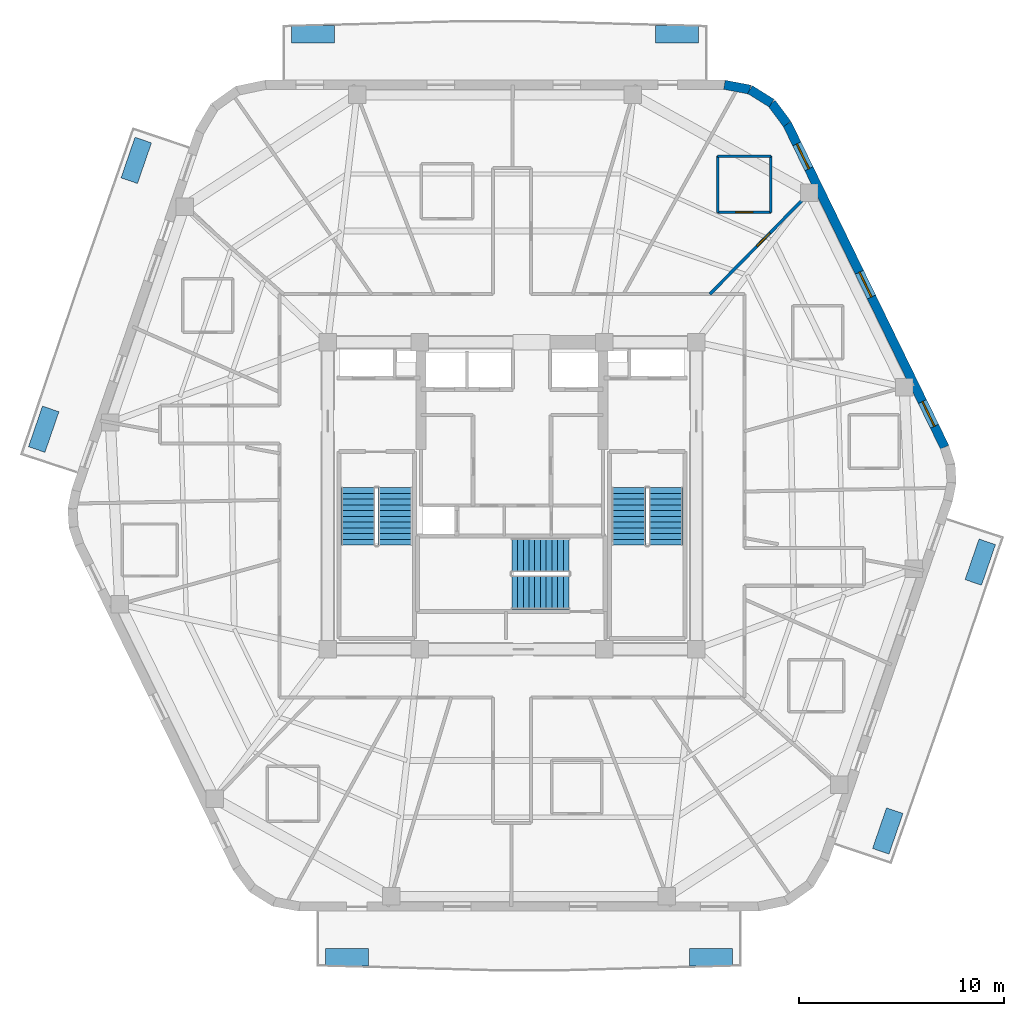
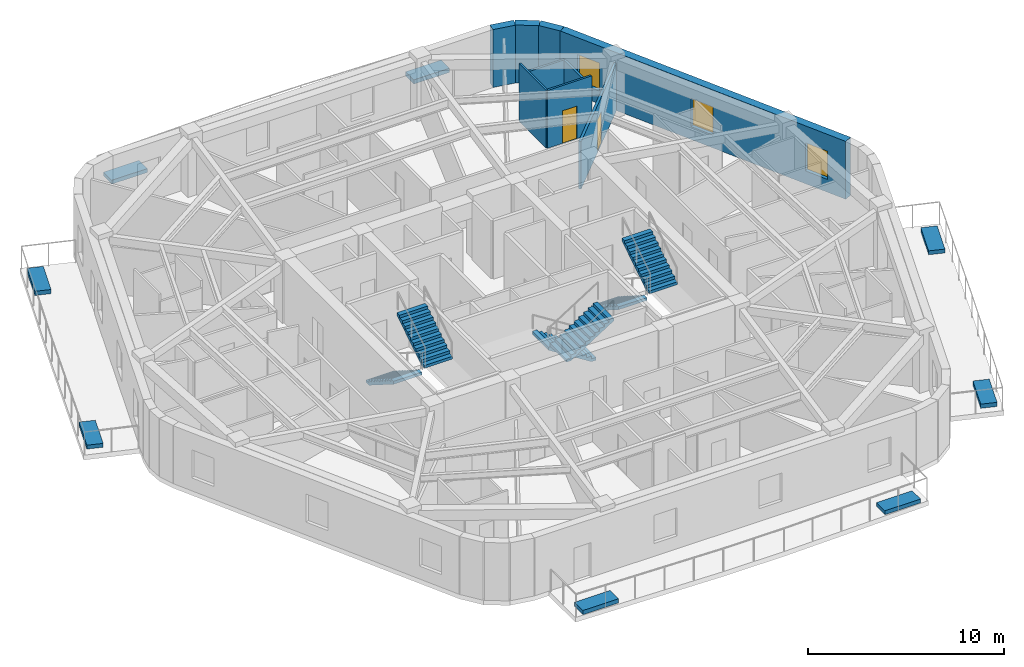
# One storey, part 7 of 9: 9 walls, 8 discrete accessories, 6 stair flights, 3 windows, 2 doors, 5 openings, 3 elements without a shape of their own.
"""IFC4 building model written with IfcOpenShell, lengths in metres."""

from ifc_helpers import new_model, si_unit, direction, frame, frame_2d, origin, origin_2d, place, context, subcontext, project, spatial, polyline, rectangle, outline, extrude, material, layer, layer_set, type_object, element, fill, aggregate, save


model = new_model("IFC4")

# Units and contexts
model_context = context("Model", 3, precision=1e-05, world=origin(), true_north=direction((0.0, 1.0)))
body_context = subcontext(model_context, "Body", "Model", "MODEL_VIEW")
ifc_project = project(units=[si_unit("LENGTHUNIT", "METRE"), si_unit("AREAUNIT", "SQUARE_METRE"), si_unit("VOLUMEUNIT", "CUBIC_METRE"), si_unit("PLANEANGLEUNIT", "RADIAN"), si_unit("MASSUNIT", "GRAM", prefix="KILO")], contexts=[model_context])

# Site, building, storey
site_placement = place(None, origin())
site = spatial("IfcSite", under=ifc_project, at=site_placement, CompositionType="ELEMENT")
building_placement = place(site_placement, origin())
building = spatial("IfcBuilding", under=site, at=building_placement, Name="Kilnhurst Terrace Hotel", CompositionType="ELEMENT")
storey_placement = place(building_placement, frame((0.0, 0.0, 261.300048828125)))
storey = spatial("IfcBuildingStorey", under=building, at=storey_placement, Name="L65", CompositionType="ELEMENT", Elevation=261.300048828125)

# Walls
ifc_material_1 = material(Name="Precast concrete C40/50", Category="concrete")
ifc_layer_1 = layer(ifc_material_1, 0.449951171875, Name="Precast concrete C40/50")
ifc_layer_set_1 = layer_set([ifc_layer_1], Name="Precast concrete C40/50")
wall_type_1 = type_object("IfcWallType", Name="WL-BRK-450", PredefinedType="SOLIDWALL", material=ifc_layer_set_1)
wall_1_placement = place(storey_placement, frame((13.44287109375, 18.159912109375, 0.0), z_axis=(0.0, 0.0, 1.0), x_axis=(-0.597042425808, 0.802209661987, 0.0)))
element("IfcWall", 1, at=wall_1_placement, inside=storey, type_object=wall_type_1, Name="L65 Rounded Corner Brick Wall C4.1", PredefinedType="SOLIDWALL", context=body_context, shape_type="SweptSolid", body=[
    extrude(rectangle(XDim=1.269775390625, YDim=0.449951171875, at=frame_2d((0.634765625, 0.0))), origin(), (0.0, 0.0, 1.0), 3.599853515625),
])
wall_2_placement = place(storey_placement, frame((12.684814453125, 19.178466796875, 0.0), z_axis=(0.0, 0.0, 1.0), x_axis=(-0.848031272749, 0.529946186362, 0.0)))
element("IfcWall", 2, at=wall_2_placement, inside=storey, type_object=wall_type_1, Name="L65 Rounded Corner Brick Wall C4.2", PredefinedType="SOLIDWALL", context=body_context, shape_type="SweptSolid", body=[
    extrude(rectangle(XDim=1.248046875, YDim=0.449951171875, at=frame_2d((0.6240234375, 0.0))), origin(), (0.0, 0.0, 1.0), 3.599853515625),
])
wall_3_placement = place(storey_placement, frame((11.62646484375, 19.83984375, 0.0), z_axis=(0.0, 0.0, 1.0), x_axis=(-0.982701956681, 0.185194126083, 0.0)))
element("IfcWall", 3, at=wall_3_placement, inside=storey, type_object=wall_type_1, Name="L65 Rounded Corner Brick Wall C4.3", PredefinedType="SOLIDWALL", context=body_context, shape_type="SweptSolid", body=[
    extrude(rectangle(XDim=1.26953125, YDim=0.449951171875, at=frame_2d((0.634765625, 0.0))), origin(), (0.0, 0.0, 1.0), 3.599853515625),
])

# Wall, openings, windows
wall_4_placement = place(storey_placement, frame((21.138427734375, 2.370849609375, 0.0), z_axis=(0.0, 0.0, 1.0), x_axis=(-0.438128124058, 0.89891253574, 0.0)))
wall_4 = element("IfcWall", 4, at=wall_4_placement, inside=storey, type_object=wall_type_1, Name="L65 Exterior Brick Facade Wall F3", PredefinedType="SOLIDWALL", context=body_context, shape_type="SweptSolid", body=[
    extrude(rectangle(XDim=17.564697265625, YDim=0.449951171875, at=frame_2d((8.7822265625, 0.0))), origin(), (0.0, 0.0, 1.0), 3.599853515625),
])
opening_1_placement = place(wall_4_placement, frame((1.133056640625, 0.0, 0.800048828125)))
opening_1 = element("IfcOpeningElement", 5, at=opening_1_placement, cuts=wall_4, Name="Opening W-06", PredefinedType="OPENING", context=body_context, shape_type="SweptSolid", body=[
    extrude(rectangle(XDim=1.35009765625, YDim=1.75, at=frame_2d((0.675048828125, 0.875))), frame((0.0, 0.23486328125, 0.0), z_axis=(0.0, -1.0, 0.0), x_axis=(1.0, 0.0, 0.0)), (0.0, 0.0, 1.0), 0.469970703125),
])
opening_2_placement = place(wall_4_placement, frame((8.157958984375, 0.0, 0.800048828125)))
opening_2 = element("IfcOpeningElement", 6, at=opening_2_placement, cuts=wall_4, Name="Opening W-06", PredefinedType="OPENING", context=body_context, shape_type="SweptSolid", body=[
    extrude(rectangle(XDim=1.35009765625, YDim=1.75, at=frame_2d((0.675048828125, 0.875))), frame((0.0, 0.23486328125, 0.0), z_axis=(0.0, -1.0, 0.0), x_axis=(1.0, 0.0, 0.0)), (0.0, 0.0, 1.0), 0.469970703125),
])
opening_3_placement = place(wall_4_placement, frame((15.132080078125, 0.0, 0.800048828125)))
opening_3 = element("IfcOpeningElement", 7, at=opening_3_placement, cuts=wall_4, Name="Opening W-06", PredefinedType="OPENING", context=body_context, shape_type="SweptSolid", body=[
    extrude(rectangle(XDim=1.35009765625, YDim=1.75, at=frame_2d((0.675048828125, 0.875))), frame((0.0, 0.23486328125, 0.0), z_axis=(0.0, -1.0, 0.0), x_axis=(1.0, 0.0, 0.0)), (0.0, 0.0, 1.0), 0.469970703125),
])
ifc_material_2 = material(Name="Thermally Broken Bronze Aluminium Alloy 6063-T6 and Low-E Glass", Category="aluminium")
window_type = type_object("IfcWindowType", Name="WIN-1350X1750", PartitioningType="SINGLE_PANEL", PredefinedType="WINDOW", material=ifc_material_2)
window_1_placement = place(opening_1_placement, origin())
window_1 = element("IfcWindow", 8, at=window_1_placement, inside=storey, type_object=window_type, Name="L65 Deep-Set Masonry Window F3.1", OverallHeight=1.75, OverallWidth=1.35009765625, PartitioningType="SINGLE_PANEL", PredefinedType="WINDOW", context=body_context, shape_type="SweptSolid", body=[
    extrude(rectangle(XDim=1.35009765625, YDim=1.75, at=frame_2d((0.675048828125, 0.875))), frame((0.0, 0.030029296875, 0.0), z_axis=(0.0, -1.0, 0.0), x_axis=(1.0, 0.0, 0.0)), (0.0, 0.0, 1.0), 0.06005859375),
])
fill(opening_1, window_1)
window_2_placement = place(opening_2_placement, origin())
window_2 = element("IfcWindow", 9, at=window_2_placement, inside=storey, type_object=window_type, Name="L65 Deep-Set Masonry Window F3.2", OverallHeight=1.75, OverallWidth=1.35009765625, PartitioningType="SINGLE_PANEL", PredefinedType="WINDOW", context=body_context, shape_type="SweptSolid", body=[
    extrude(rectangle(XDim=1.35009765625, YDim=1.75, at=frame_2d((0.675048828125, 0.875))), frame((0.0, 0.030029296875, 0.0), z_axis=(0.0, -1.0, 0.0), x_axis=(1.0, 0.0, 0.0)), (0.0, 0.0, 1.0), 0.06005859375),
])
fill(opening_2, window_2)
window_3_placement = place(opening_3_placement, origin())
window_3 = element("IfcWindow", 10, at=window_3_placement, inside=storey, type_object=window_type, Name="L65 Deep-Set Masonry Window F3.3", OverallHeight=1.75, OverallWidth=1.35009765625, PartitioningType="SINGLE_PANEL", PredefinedType="WINDOW", context=body_context, shape_type="SweptSolid", body=[
    extrude(rectangle(XDim=1.35009765625, YDim=1.75, at=frame_2d((0.675048828125, 0.875))), frame((0.0, 0.030029296875, 0.0), z_axis=(0.0, -1.0, 0.0), x_axis=(1.0, 0.0, 0.0)), (0.0, 0.0, 1.0), 0.06005859375),
])
fill(opening_3, window_3)

# Wall, opening, door
ifc_material_3 = material(Name="STC-58 Acoustic Twin-Frame Guestroom Demising Partition")
ifc_layer_2 = layer(ifc_material_3, 0.14990234375, Name="STC-58 Acoustic Twin-Frame Guestroom Demising Partition")
ifc_layer_set_2 = layer_set([ifc_layer_2], Name="STC-58 Acoustic Twin-Frame Guestroom Demising Partition")
wall_type_2 = type_object("IfcWallType", Name="WL-DEM-150", PredefinedType="PARTITIONING", material=ifc_layer_set_2)
wall_5_placement = place(storey_placement, frame((9.67236328125, 9.85009765625, 0.0), z_axis=(0.0, 0.0, 1.0), x_axis=(0.700629771301, 0.713524998558, 0.0)))
wall_5 = element("IfcWall", 11, at=wall_5_placement, inside=storey, type_object=wall_type_2, Name="L65 Interior Wall WL-L65-DEM-COL02-03-1", PredefinedType="PARTITIONING", context=body_context, shape_type="SweptSolid", body=[
    extrude(rectangle(XDim=7.45947265625, YDim=0.14990234375, at=frame_2d((3.729736328125, 0.0))), origin(), (0.0, 0.0, 1.0), 2.93994140625),
])
opening_4_placement = place(wall_5_placement, frame((3.280029296875, 0.0, 0.0)))
opening_4 = element("IfcOpeningElement", 12, at=opening_4_placement, cuts=wall_5, Name="Opening D-09B", PredefinedType="OPENING", context=body_context, shape_type="SweptSolid", body=[
    extrude(rectangle(XDim=0.89990234375, YDim=2.030029296875, at=frame_2d((0.449951171875, 1.01513671875))), frame((0.0, 0.0849609375, 0.0), z_axis=(0.0, -1.0, 0.0), x_axis=(1.0, 0.0, 0.0)), (0.0, 0.0, 1.0), 0.169921875),
])
ifc_material_4 = material(Name="Moisture-Resistant Solid-Core Restroom Door")
door_type_1 = type_object("IfcDoorType", Name="DR-INT-900", OperationType="NOTDEFINED", PredefinedType="DOOR", material=ifc_material_4)
door_1_placement = place(opening_4_placement, origin())
door_1 = element("IfcDoor", 13, at=door_1_placement, inside=storey, type_object=door_type_1, Name="L65 Sky Residence Bedroom Door 2", OperationType="SINGLE_SWING_RIGHT", OverallHeight=2.030029296875, OverallWidth=0.89990234375, PredefinedType="DOOR", context=body_context, shape_type="SweptSolid", body=[
    extrude(rectangle(XDim=0.89990234375, YDim=2.030029296875, at=frame_2d((0.449951171875, 1.01513671875))), frame((0.0, 0.02490234375, 0.0), z_axis=(0.0, -1.0, 0.0), x_axis=(1.0, 0.0, 0.0)), (0.0, 0.0, 1.0), 0.050048828125),
])
fill(opening_4, door_1)

ifc_material_5 = material(Name="120 mm Moisture-Resistant Tile-Backed Bathroom Partition")
ifc_layer_3 = layer(ifc_material_5, 0.1201171875, Name="120 mm Moisture-Resistant Tile-Backed Bathroom Partition")
ifc_layer_set_3 = layer_set([ifc_layer_3], Name="120 mm Moisture-Resistant Tile-Backed Bathroom Partition")
wall_type_3 = type_object("IfcWallType", Name="WL-PART-120", PredefinedType="PARTITIONING", material=ifc_layer_set_3)
wall_6_placement = place(storey_placement, frame((10.049072265625, 13.840087890625, 0.0), z_axis=(0.0, 0.0, 1.0), x_axis=(1.0, 0.0, 0.0)))
wall_6 = element("IfcWall", 14, at=wall_6_placement, inside=storey, type_object=wall_type_3, Name="L65 Interior Wall WL-L65-RBTH-02-1", PredefinedType="PARTITIONING", context=body_context, shape_type="SweptSolid", body=[
    extrude(rectangle(XDim=2.599853515625, YDim=0.1201171875, at=frame_2d((1.2998046875, 0.0))), origin(), (0.0, 0.0, 1.0), 3.599853515625),
])
opening_5_placement = place(wall_6_placement, frame((0.875, 0.0, 0.0)))
opening_5 = element("IfcOpeningElement", 15, at=opening_5_placement, cuts=wall_6, Name="Opening D-08A", PredefinedType="OPENING", context=body_context, shape_type="SweptSolid", body=[
    extrude(rectangle(XDim=0.85009765625, YDim=2.030029296875, at=frame_2d((0.425048828125, 1.01513671875))), frame((0.0, 0.070068359375, 0.0), z_axis=(0.0, -1.0, 0.0), x_axis=(1.0, 0.0, 0.0)), (0.0, 0.0, 1.0), 0.14013671875),
])
ifc_material_6 = material(Name="Moisture-Resistant Lacquered En-suite Bathroom Door")
door_type_2 = type_object("IfcDoorType", Name="DR-INT-850", OperationType="NOTDEFINED", PredefinedType="DOOR", material=ifc_material_6)
door_2_placement = place(opening_5_placement, origin())
door_2 = element("IfcDoor", 16, at=door_2_placement, inside=storey, type_object=door_type_2, Name="L65 Sky Residence Bathroom Door 2", OperationType="SINGLE_SWING_LEFT", OverallHeight=2.030029296875, OverallWidth=0.85009765625, PredefinedType="DOOR", context=body_context, shape_type="SweptSolid", body=[
    extrude(rectangle(XDim=0.85009765625, YDim=2.030029296875, at=frame_2d((0.425048828125, 1.01513671875))), frame((0.0, 0.02490234375, 0.0), z_axis=(0.0, -1.0, 0.0), x_axis=(1.0, 0.0, 0.0)), (0.0, 0.0, 1.0), 0.050048828125),
])
fill(opening_5, door_2)

# Walls
wall_7_placement = place(storey_placement, frame((12.64892578125, 13.840087890625, 0.0), z_axis=(0.0, 0.0, 1.0), x_axis=(0.0, 1.0, 0.0)))
element("IfcWall", 17, at=wall_7_placement, inside=storey, type_object=wall_type_3, Name="L65 Interior Wall WL-L65-RBTH-02-2", PredefinedType="PARTITIONING", context=body_context, shape_type="SweptSolid", body=[
    extrude(rectangle(XDim=2.75, YDim=0.1201171875, at=frame_2d((1.375, 0.0))), origin(), (0.0, 0.0, 1.0), 2.93994140625),
])
wall_8_placement = place(storey_placement, frame((12.64892578125, 16.590087890625, 0.0), z_axis=(0.0, 0.0, 1.0), x_axis=(-1.0, 0.0, 0.0)))
element("IfcWall", 18, at=wall_8_placement, inside=storey, type_object=wall_type_3, Name="L65 Interior Wall WL-L65-RBTH-02-3", PredefinedType="PARTITIONING", context=body_context, shape_type="SweptSolid", body=[
    extrude(rectangle(XDim=2.599853515625, YDim=0.1201171875, at=frame_2d((1.2998046875, 0.0))), origin(), (0.0, 0.0, 1.0), 2.93994140625),
])
wall_9_placement = place(storey_placement, frame((10.049072265625, 16.590087890625, 0.0), z_axis=(0.0, 0.0, 1.0), x_axis=(0.0, -1.0, 0.0)))
element("IfcWall", 19, at=wall_9_placement, inside=storey, type_object=wall_type_3, Name="L65 Interior Wall WL-L65-RBTH-02-4", PredefinedType="PARTITIONING", context=body_context, shape_type="SweptSolid", body=[
    extrude(rectangle(XDim=2.75, YDim=0.1201171875, at=frame_2d((1.375, 0.0))), origin(), (0.0, 0.0, 1.0), 3.599853515625),
])

# Stair, stair flights
ifc_material_7 = material(Name="Concrete C50/60", Category="concrete")
stair_type = type_object("IfcStairType", Name="STR-CORE-1660", PredefinedType="HALF_TURN_STAIR", material=ifc_material_7)
stair_1_placement = place(storey_placement, origin())
stair_1 = element("IfcStair", 20, at=stair_1_placement, inside=storey, type_object=stair_type, Name="L65 ST-1", PredefinedType="HALF_TURN_STAIR")
stair_flight_type = type_object("IfcStairFlightType", Name="FLT-RC-1660", PredefinedType="STRAIGHT", material=ifc_material_7)
stair_flight_1_placement = place(storey_placement, frame((-7.52001953125, 0.389892578125, 0.0), z_axis=(0.0, 0.0, 1.0), x_axis=(0.0, -1.0, 0.0)))
stair_flight_1 = element("IfcStairFlight", 21, at=stair_flight_1_placement, type_object=stair_flight_type, Name="ST-1 flight 1", NumberOfRisers=11, NumberOfTreads=10, PredefinedType="STRAIGHT", RiserHeight=0.177272727, TreadLength=0.28, context=body_context, shape_type="SweptSolid", body=[
    extrude(outline(polyline([(0.0, 0.0), (0.0, 0.17724609375), (0.280029296875, 0.17724609375), (0.280029296875, 0.3544921875), (0.56005859375, 0.3544921875), (0.56005859375, 0.53173828125), (0.840087890625, 0.53173828125), (0.840087890625, 0.708984375), (1.1201171875, 0.708984375), (1.1201171875, 0.886474609375), (1.39990234375, 0.886474609375), (1.39990234375, 1.063720703125), (1.679931640625, 1.063720703125), (1.679931640625, 1.240966796875), (1.9599609375, 1.240966796875), (1.9599609375, 1.418212890625), (2.239990234375, 1.418212890625), (2.239990234375, 1.595458984375), (2.52001953125, 1.595458984375), (2.52001953125, 1.772705078125), (2.800048828125, 1.772705078125), (2.800048828125, 1.949951171875), (2.800048828125, 1.59521484375), (0.2802734375, 0.0), (0.0, 0.0)])), frame((0.0, 0.830078125, 0.0), z_axis=(0.0, -1.0, 0.0), x_axis=(1.0, 0.0, 0.0)), (0.0, 0.0, 1.0), 1.659912109375),
])
stair_flight_2_placement = place(storey_placement, frame((-5.7099609375, -2.409912109375, 1.949951171875), z_axis=(0.0, 0.0, 1.0), x_axis=(0.0, 1.0, 0.0)))
stair_flight_2 = element("IfcStairFlight", 22, at=stair_flight_2_placement, type_object=stair_flight_type, Name="ST-1 flight 2", NumberOfRisers=11, NumberOfTreads=10, PredefinedType="STRAIGHT", RiserHeight=0.177272727, TreadLength=0.28, context=body_context, shape_type="SweptSolid", body=[
    extrude(outline(polyline([(0.0, 0.0), (0.0, 0.17724609375), (0.280029296875, 0.17724609375), (0.280029296875, 0.3544921875), (0.56005859375, 0.3544921875), (0.56005859375, 0.53173828125), (0.840087890625, 0.53173828125), (0.840087890625, 0.708984375), (1.1201171875, 0.708984375), (1.1201171875, 0.886474609375), (1.39990234375, 0.886474609375), (1.39990234375, 1.063720703125), (1.679931640625, 1.063720703125), (1.679931640625, 1.240966796875), (1.9599609375, 1.240966796875), (1.9599609375, 1.418212890625), (2.239990234375, 1.418212890625), (2.239990234375, 1.595458984375), (2.52001953125, 1.595458984375), (2.52001953125, 1.772705078125), (2.800048828125, 1.772705078125), (2.800048828125, 1.949951171875), (2.800048828125, 1.59521484375), (0.2802734375, 0.0), (0.0, 0.0)])), frame((0.0, 0.830078125, 0.0), z_axis=(0.0, -1.0, 0.0), x_axis=(1.0, 0.0, 0.0)), (0.0, 0.0, 1.0), 1.659912109375),
])
aggregate(stair_1, [stair_flight_1, stair_flight_2])

stair_2_placement = place(storey_placement, origin())
stair_2 = element("IfcStair", 23, at=stair_2_placement, inside=storey, type_object=stair_type, Name="L65 ST-2", PredefinedType="HALF_TURN_STAIR")
stair_flight_3_placement = place(storey_placement, frame((5.7099609375, 0.389892578125, 0.0), z_axis=(0.0, 0.0, 1.0), x_axis=(0.0, -1.0, 0.0)))
stair_flight_3 = element("IfcStairFlight", 24, at=stair_flight_3_placement, type_object=stair_flight_type, Name="ST-2 flight 1", NumberOfRisers=11, NumberOfTreads=10, PredefinedType="STRAIGHT", RiserHeight=0.177272727, TreadLength=0.28, context=body_context, shape_type="SweptSolid", body=[
    extrude(outline(polyline([(0.0, 0.0), (0.0, 0.17724609375), (0.280029296875, 0.17724609375), (0.280029296875, 0.3544921875), (0.56005859375, 0.3544921875), (0.56005859375, 0.53173828125), (0.840087890625, 0.53173828125), (0.840087890625, 0.708984375), (1.1201171875, 0.708984375), (1.1201171875, 0.886474609375), (1.39990234375, 0.886474609375), (1.39990234375, 1.063720703125), (1.679931640625, 1.063720703125), (1.679931640625, 1.240966796875), (1.9599609375, 1.240966796875), (1.9599609375, 1.418212890625), (2.239990234375, 1.418212890625), (2.239990234375, 1.595458984375), (2.52001953125, 1.595458984375), (2.52001953125, 1.772705078125), (2.800048828125, 1.772705078125), (2.800048828125, 1.949951171875), (2.800048828125, 1.59521484375), (0.2802734375, 0.0), (0.0, 0.0)])), frame((0.0, 0.830078125, 0.0), z_axis=(0.0, -1.0, 0.0), x_axis=(1.0, 0.0, 0.0)), (0.0, 0.0, 1.0), 1.659912109375),
])
stair_flight_4_placement = place(storey_placement, frame((7.52001953125, -2.409912109375, 1.949951171875), z_axis=(0.0, 0.0, 1.0), x_axis=(0.0, 1.0, 0.0)))
stair_flight_4 = element("IfcStairFlight", 25, at=stair_flight_4_placement, type_object=stair_flight_type, Name="ST-2 flight 2", NumberOfRisers=11, NumberOfTreads=10, PredefinedType="STRAIGHT", RiserHeight=0.177272727, TreadLength=0.28, context=body_context, shape_type="SweptSolid", body=[
    extrude(outline(polyline([(0.0, 0.0), (0.0, 0.17724609375), (0.280029296875, 0.17724609375), (0.280029296875, 0.3544921875), (0.56005859375, 0.3544921875), (0.56005859375, 0.53173828125), (0.840087890625, 0.53173828125), (0.840087890625, 0.708984375), (1.1201171875, 0.708984375), (1.1201171875, 0.886474609375), (1.39990234375, 0.886474609375), (1.39990234375, 1.063720703125), (1.679931640625, 1.063720703125), (1.679931640625, 1.240966796875), (1.9599609375, 1.240966796875), (1.9599609375, 1.418212890625), (2.239990234375, 1.418212890625), (2.239990234375, 1.595458984375), (2.52001953125, 1.595458984375), (2.52001953125, 1.772705078125), (2.800048828125, 1.772705078125), (2.800048828125, 1.949951171875), (2.800048828125, 1.59521484375), (0.2802734375, 0.0), (0.0, 0.0)])), frame((0.0, 0.830078125, 0.0), z_axis=(0.0, -1.0, 0.0), x_axis=(1.0, 0.0, 0.0)), (0.0, 0.0, 1.0), 1.659912109375),
])
aggregate(stair_2, [stair_flight_3, stair_flight_4])

stair_3_placement = place(storey_placement, origin())
stair_3 = element("IfcStair", 26, at=stair_3_placement, inside=storey, type_object=stair_type, Name="L65 ST-3", PredefinedType="HALF_TURN_STAIR")
stair_flight_5_placement = place(storey_placement, frame((2.7900390625, -2.909912109375, 0.0), z_axis=(0.0, 0.0, 1.0), x_axis=(-1.0, 0.0, 0.0)))
stair_flight_5 = element("IfcStairFlight", 27, at=stair_flight_5_placement, type_object=stair_flight_type, Name="ST-3 flight 1", NumberOfRisers=11, NumberOfTreads=10, PredefinedType="STRAIGHT", RiserHeight=0.177272727, TreadLength=0.28, context=body_context, shape_type="SweptSolid", body=[
    extrude(outline(polyline([(0.0, 0.0), (0.0, 0.17724609375), (0.280029296875, 0.17724609375), (0.280029296875, 0.3544921875), (0.56005859375, 0.3544921875), (0.56005859375, 0.53173828125), (0.840087890625, 0.53173828125), (0.840087890625, 0.708984375), (1.1201171875, 0.708984375), (1.1201171875, 0.886474609375), (1.39990234375, 0.886474609375), (1.39990234375, 1.063720703125), (1.679931640625, 1.063720703125), (1.679931640625, 1.240966796875), (1.9599609375, 1.240966796875), (1.9599609375, 1.418212890625), (2.239990234375, 1.418212890625), (2.239990234375, 1.595458984375), (2.52001953125, 1.595458984375), (2.52001953125, 1.772705078125), (2.800048828125, 1.772705078125), (2.800048828125, 1.949951171875), (2.800048828125, 1.59521484375), (0.2802734375, 0.0), (0.0, 0.0)])), frame((0.0, 0.830078125, 0.0), z_axis=(0.0, -1.0, 0.0), x_axis=(1.0, 0.0, 0.0)), (0.0, 0.0, 1.0), 1.659912109375),
])
stair_flight_6_placement = place(storey_placement, frame((-0.010009765625, -4.719970703125, 1.949951171875), z_axis=(0.0, 0.0, 1.0), x_axis=(1.0, 0.0, 0.0)))
stair_flight_6 = element("IfcStairFlight", 28, at=stair_flight_6_placement, type_object=stair_flight_type, Name="ST-3 flight 2", NumberOfRisers=11, NumberOfTreads=10, PredefinedType="STRAIGHT", RiserHeight=0.177272727, TreadLength=0.28, context=body_context, shape_type="SweptSolid", body=[
    extrude(outline(polyline([(0.0, 0.0), (0.0, 0.17724609375), (0.280029296875, 0.17724609375), (0.280029296875, 0.3544921875), (0.56005859375, 0.3544921875), (0.56005859375, 0.53173828125), (0.840087890625, 0.53173828125), (0.840087890625, 0.708984375), (1.1201171875, 0.708984375), (1.1201171875, 0.886474609375), (1.39990234375, 0.886474609375), (1.39990234375, 1.063720703125), (1.679931640625, 1.063720703125), (1.679931640625, 1.240966796875), (1.9599609375, 1.240966796875), (1.9599609375, 1.418212890625), (2.239990234375, 1.418212890625), (2.239990234375, 1.595458984375), (2.52001953125, 1.595458984375), (2.52001953125, 1.772705078125), (2.800048828125, 1.772705078125), (2.800048828125, 1.949951171875), (2.800048828125, 1.59521484375), (0.2802734375, 0.0), (0.0, 0.0)])), frame((0.0, 0.830078125, 0.0), z_axis=(0.0, -1.0, 0.0), x_axis=(1.0, 0.0, 0.0)), (0.0, 0.0, 1.0), 1.659912109375),
])
aggregate(stair_3, [stair_flight_5, stair_flight_6])

# Discrete accessories
ifc_material_8 = material(Name="Precast Concrete C40/50 Shrub Planter", Category="concrete")
discrete_accessory_type_1 = type_object("IfcDiscreteAccessoryType", Name="PLN-SHRUB-240", PredefinedType="USERDEFINED", material=ifc_material_8)
for number, where, z_axis, x_axis, name in (
    (29, (9.711669921875, -22.550048828125, 0.0), (0.0, 0.0, 1.0), (1.0, 0.0, 0.0), "L65 Structural Tree Planter Box PLANTER BAL-L1A.2"),
    (30, (22.8779296875, -3.246826171875, 0.0), (0.0, 0.0, 1.0), (0.325403125376, 0.94557538356, 0.0), "L65 Structural Tree Planter Box PLANTER BAL-L1B.2"),
    (31, (-9.711669921875, 22.550048828125, 0.0), (0.0, 0.0, 1.0), (-1.0, 0.0, 0.0), "L65 Structural Tree Planter Box PLANTER BAL-L2A.2"),
    (32, (-22.8779296875, 3.246826171875, 0.0), (0.0, 0.0, 1.0), (-0.325403125376, -0.94557538356, 0.0), "L65 Structural Tree Planter Box PLANTER BAL-L2B.2"),
):
    element("IfcDiscreteAccessory", number, at=place(storey_placement, frame(where, z_axis=z_axis, x_axis=x_axis)), inside=storey, type_object=discrete_accessory_type_1, Name=name, ObjectType="PLANTER", PredefinedType="USERDEFINED", context=body_context, shape_type="SweptSolid", body=[
        extrude(rectangle(XDim=2.10009765625, YDim=0.85009765625, at=origin_2d()), origin(), (0.0, 0.0, 1.0), 0.239990234375),
    ])
ifc_material_9 = material(Name="Precast Concrete C40/50 Tree Planter", Category="concrete")
discrete_accessory_type_2 = type_object("IfcDiscreteAccessoryType", Name="PLN-TREE-260", PredefinedType="USERDEFINED", material=ifc_material_9)
for number, where, z_axis, x_axis, name in (
    (33, (-8.0498046875, -22.550048828125, 0.0), (0.0, 0.0, 1.0), (1.0, 0.0, 0.0), "L65 Structural Tree Planter Box PLANTER BAL-L1A.1"),
    (34, (18.35791015625, -16.381591796875, 0.0), (0.0, 0.0, 1.0), (0.325403125376, 0.94557538356, 0.0), "L65 Structural Tree Planter Box PLANTER BAL-L1B.1"),
    (35, (8.0498046875, 22.550048828125, 0.0), (0.0, 0.0, 1.0), (-1.0, 0.0, 0.0), "L65 Structural Tree Planter Box PLANTER BAL-L2A.1"),
    (36, (-18.35791015625, 16.381591796875, 0.0), (0.0, 0.0, 1.0), (-0.325403125376, -0.94557538356, 0.0), "L65 Structural Tree Planter Box PLANTER BAL-L2B.1"),
):
    element("IfcDiscreteAccessory", number, at=place(storey_placement, frame(where, z_axis=z_axis, x_axis=x_axis)), inside=storey, type_object=discrete_accessory_type_2, Name=name, ObjectType="PLANTER", PredefinedType="USERDEFINED", context=body_context, shape_type="SweptSolid", body=[
        extrude(rectangle(XDim=2.10009765625, YDim=0.85009765625, at=origin_2d()), origin(), (0.0, 0.0, 1.0), 0.260009765625),
    ])

save(model, "model.ifc")
